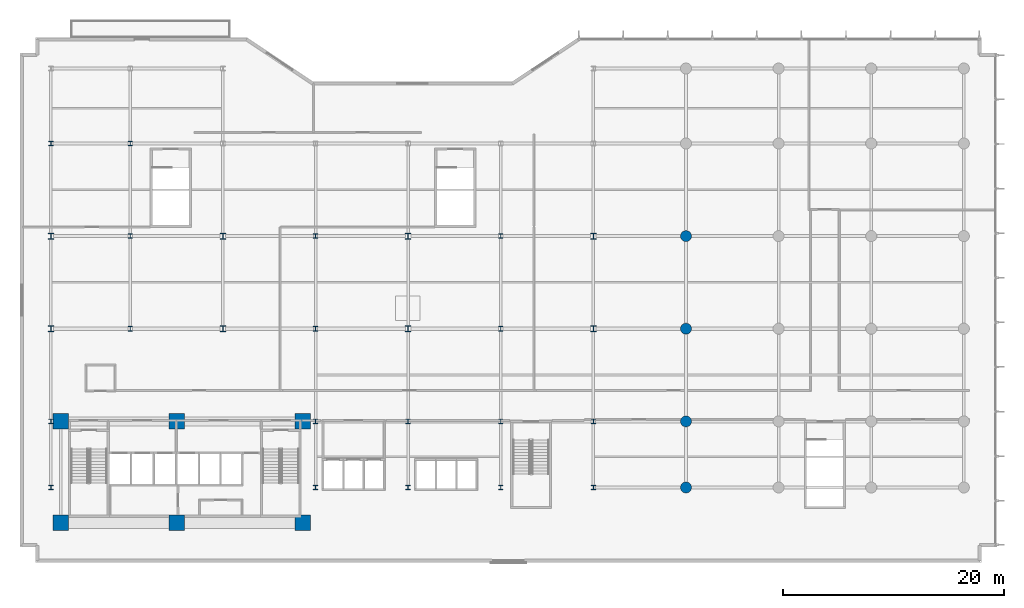
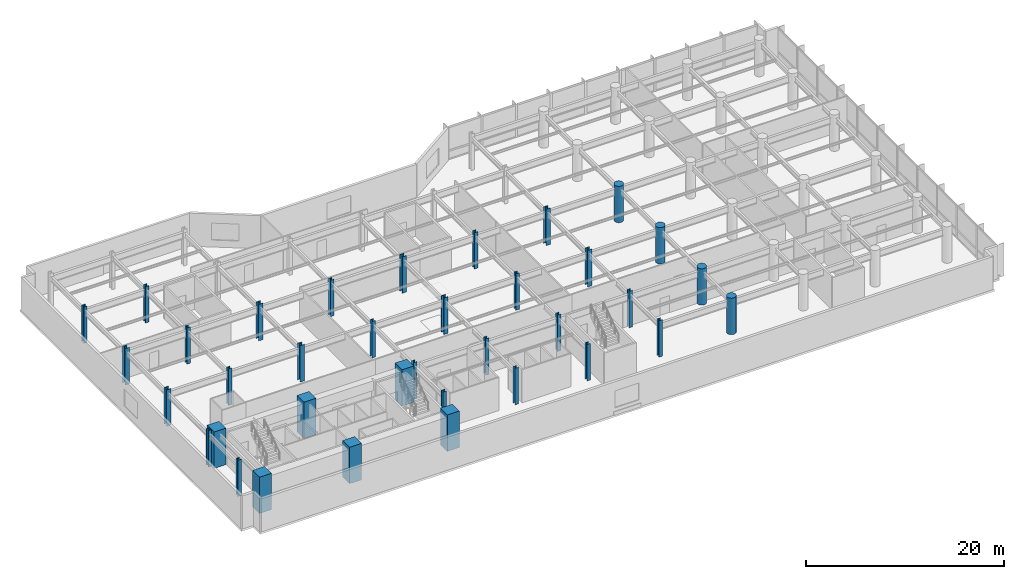
# One storey, part 1 of 23: 36 columns.
"""IFC4 building model written with IfcOpenShell, lengths in metres."""

from ifc_helpers import new_model, si_unit, direction, frame, origin, origin_2d, place, context, subcontext, project, spatial, rectangle, circle, i_section, extrude, material, material_profile, profile_set, type_object, element, save


model = new_model("IFC4")

# Units and contexts
model_context = context("Model", 3, precision=1e-05, world=origin(), true_north=direction((0.0, 1.0)))
body_context = subcontext(model_context, "Body", "Model", "MODEL_VIEW")
ifc_project = project(units=[si_unit("LENGTHUNIT", "METRE"), si_unit("AREAUNIT", "SQUARE_METRE"), si_unit("VOLUMEUNIT", "CUBIC_METRE"), si_unit("PLANEANGLEUNIT", "RADIAN"), si_unit("MASSUNIT", "GRAM", prefix="KILO")], contexts=[model_context])

# Site, building, storey
site_placement = place(None, origin())
site = spatial("IfcSite", under=ifc_project, at=site_placement, CompositionType="ELEMENT")
building_placement = place(site_placement, origin())
building = spatial("IfcBuilding", under=site, at=building_placement, Name="Varnakote Quay Hospital", CompositionType="ELEMENT")
storey_placement = place(building_placement, frame((0.0, 0.0, 18.0)))
storey = spatial("IfcBuildingStorey", under=building, at=storey_placement, Name="L04", CompositionType="ELEMENT", Elevation=18.0)

# Columns
ifc_material_1 = material(Name="Concrete N80 (f'c 80 MPa)", Category="concrete")
ifc_material_profile_1 = material_profile(ifc_material_1, rectangle(XDim=1.39990234375, YDim=1.39990234375, at=origin_2d()), Name="RC-COL-1400x1400")
ifc_profile_set_1 = profile_set([ifc_material_profile_1], Name="Concrete N80 (f'c 80 MPa)")
column_type_1 = type_object("IfcColumnType", Name="COL-RC-1400", PredefinedType="COLUMN", material=ifc_profile_set_1)
for number, where, z_axis, x_axis, name in (
    (1, (2.10009765625, 2.800048828125, 0.0), (0.0, 0.0, 1.0), (1.0, 0.0, 0.0), "L04 Structural Column C-2-3"),
    (2, (12.6201171875, 2.800048828125, 0.0), (0.0, 0.0, 1.0), (1.0, 0.0, 0.0), "L04 Structural Column C-13-3"),
    (3, (24.050048828125, 2.800048828125, 0.0), (0.0, 0.0, 1.0), (1.0, 0.0, 0.0), "L04 Structural Column C-24-3"),
    (4, (2.10009765625, 12.0, 0.0), (0.0, 0.0, 1.0), (1.0, 0.0, 0.0), "L04 Structural Column C-2-12"),
    (5, (12.6201171875, 12.0, 0.0), (0.0, 0.0, 1.0), (1.0, 0.0, 0.0), "L04 Structural Column C-13-12"),
    (6, (24.050048828125, 12.0, 0.0), (0.0, 0.0, 1.0), (1.0, 0.0, 0.0), "L04 Structural Column C-24-12"),
):
    element("IfcColumn", number, at=place(storey_placement, frame(where, z_axis=z_axis, x_axis=x_axis)), inside=storey, type_object=column_type_1, Name=name, PredefinedType="COLUMN", context=body_context, shape_type="SweptSolid", body=[
        extrude(rectangle(XDim=1.39990234375, YDim=1.39990234375, at=origin_2d()), origin(), (0.0, 0.0, 1.0), 4.5),
    ])
ifc_material_2 = material(Name="Concrete N65 (f'c 65 MPa)", Category="concrete")
ifc_material_profile_2 = material_profile(ifc_material_2, circle(Radius=0.5, at=origin_2d()), Name="RC-COL-D1000")
ifc_profile_set_2 = profile_set([ifc_material_profile_2], Name="Concrete N65 (f'c 65 MPa)")
column_type_2 = type_object("IfcColumnType", Name="COL-RC-D1000", PredefinedType="COLUMN", material=ifc_profile_set_2)
for number, where, z_axis, x_axis, name in (
    (7, (58.800048828125, 6.0, 0.0), (0.0, 0.0, 1.0), (1.0, 0.0, 0.0), "L04 Structural Column C-59-6"),
    (8, (58.800048828125, 12.0, 0.0), (0.0, 0.0, 1.0), (1.0, 0.0, 0.0), "L04 Structural Column C-59-12"),
    (9, (58.800048828125, 20.39990234375, 0.0), (0.0, 0.0, 1.0), (1.0, 0.0, 0.0), "L04 Structural Column C-59-20"),
    (10, (58.800048828125, 28.800048828125, 0.0), (0.0, 0.0, 1.0), (1.0, 0.0, 0.0), "L04 Structural Column C-59-29"),
):
    element("IfcColumn", number, at=place(storey_placement, frame(where, z_axis=z_axis, x_axis=x_axis)), inside=storey, type_object=column_type_2, Name=name, PredefinedType="COLUMN", context=body_context, shape_type="SweptSolid", body=[
        extrude(circle(Radius=0.5, at=origin_2d()), origin(), (0.0, 0.0, 1.0), 4.5),
    ])
ifc_material_3 = material(Name="Structural steel AS/NZS 3678 Grade 350 (fy 340 MPa)", Category="steel")
ifc_material_profile_3 = material_profile(ifc_material_3, i_section(OverallWidth=0.39990234375, OverallDepth=0.419921875, WebThickness=0.02490234375, FlangeThickness=0.0400390625, at=origin_2d()), Name="400WC328")
ifc_profile_set_3 = profile_set([ifc_material_profile_3], Name="Structural steel AS/NZS 3678 Grade 350 (fy 340 MPa)")
column_type_3 = type_object("IfcColumnType", Name="COL-STL-400WC328", PredefinedType="COLUMN", material=ifc_profile_set_3)
for number, where, z_axis, x_axis, name in (
    (11, (1.199951171875, 6.0, 0.0), (0.0, 0.0, 1.0), (1.0, 0.0, 0.0), "L04 Structural Column C-1-6"),
    (12, (25.199951171875, 6.0, 0.0), (0.0, 0.0, 1.0), (1.0, 0.0, 0.0), "L04 Structural Column C-25-6"),
    (13, (33.60009765625, 6.0, 0.0), (0.0, 0.0, 1.0), (1.0, 0.0, 0.0), "L04 Structural Column C-34-6"),
    (14, (42.0, 6.0, 0.0), (0.0, 0.0, 1.0), (1.0, 0.0, 0.0), "L04 Structural Column C-42-6"),
    (15, (50.39990234375, 6.0, 0.0), (0.0, 0.0, 1.0), (1.0, 0.0, 0.0), "L04 Structural Column C-50-6"),
    (16, (1.199951171875, 12.0, 0.0), (0.0, 0.0, 1.0), (1.0, 0.0, 0.0), "L04 Structural Column C-1-12"),
    (17, (25.199951171875, 12.0, 0.0), (0.0, 0.0, 1.0), (1.0, 0.0, 0.0), "L04 Structural Column C-25-12"),
    (18, (33.60009765625, 12.0, 0.0), (0.0, 0.0, 1.0), (1.0, 0.0, 0.0), "L04 Structural Column C-34-12"),
    (19, (42.0, 12.0, 0.0), (0.0, 0.0, 1.0), (1.0, 0.0, 0.0), "L04 Structural Column C-42-12"),
    (20, (50.39990234375, 12.0, 0.0), (0.0, 0.0, 1.0), (1.0, 0.0, 0.0), "L04 Structural Column C-50-12"),
    (21, (8.39990234375, 20.39990234375, 0.0), (0.0, 0.0, 1.0), (1.0, 0.0, 0.0), "L04 Structural Column C-8-20"),
    (22, (25.199951171875, 20.39990234375, 0.0), (0.0, 0.0, 1.0), (1.0, 0.0, 0.0), "L04 Structural Column C-25-20"),
    (23, (42.0, 20.39990234375, 0.0), (0.0, 0.0, 1.0), (1.0, 0.0, 0.0), "L04 Structural Column C-42-20"),
    (24, (8.39990234375, 28.800048828125, 0.0), (0.0, 0.0, 1.0), (1.0, 0.0, 0.0), "L04 Structural Column C-8-29"),
    (25, (25.199951171875, 28.800048828125, 0.0), (0.0, 0.0, 1.0), (1.0, 0.0, 0.0), "L04 Structural Column C-25-29"),
    (26, (42.0, 28.800048828125, 0.0), (0.0, 0.0, 1.0), (1.0, 0.0, 0.0), "L04 Structural Column C-42-29"),
    (27, (1.199951171875, 37.199951171875, 0.0), (0.0, 0.0, 1.0), (1.0, 0.0, 0.0), "L04 Structural Column C-1-37"),
    (28, (8.39990234375, 37.199951171875, 0.0), (0.0, 0.0, 1.0), (1.0, 0.0, 0.0), "L04 Structural Column C-8-37"),
):
    element("IfcColumn", number, at=place(storey_placement, frame(where, z_axis=z_axis, x_axis=x_axis)), inside=storey, type_object=column_type_3, Name=name, PredefinedType="COLUMN", context=body_context, shape_type="SweptSolid", body=[
        extrude(i_section(OverallWidth=0.39990234375, OverallDepth=0.419921875, WebThickness=0.02490234375, FlangeThickness=0.0400390625, at=origin_2d()), origin(), (0.0, 0.0, 1.0), 4.5),
    ])
ifc_material_4 = material(Name="Structural steel AS/NZS 3678 Grade 350 (fy 340 MPa)", Category="steel")
ifc_material_profile_4 = material_profile(ifc_material_4, i_section(OverallWidth=0.5, OverallDepth=0.530029296875, WebThickness=0.028076171875, FlangeThickness=0.044921875, at=origin_2d()), Name="500WC440")
ifc_profile_set_4 = profile_set([ifc_material_profile_4], Name="Structural steel AS/NZS 3678 Grade 350 (fy 340 MPa)")
column_type_4 = type_object("IfcColumnType", Name="COL-STL-500WC440", PredefinedType="COLUMN", material=ifc_profile_set_4)
for number, where, z_axis, x_axis, name in (
    (29, (1.199951171875, 20.39990234375, 0.0), (0.0, 0.0, 1.0), (1.0, 0.0, 0.0), "L04 Structural Column C-1-20"),
    (30, (16.800048828125, 20.39990234375, 0.0), (0.0, 0.0, 1.0), (1.0, 0.0, 0.0), "L04 Structural Column C-17-20"),
    (31, (33.60009765625, 20.39990234375, 0.0), (0.0, 0.0, 1.0), (1.0, 0.0, 0.0), "L04 Structural Column C-34-20"),
    (32, (50.39990234375, 20.39990234375, 0.0), (0.0, 0.0, 1.0), (1.0, 0.0, 0.0), "L04 Structural Column C-50-20"),
    (33, (1.199951171875, 28.800048828125, 0.0), (0.0, 0.0, 1.0), (1.0, 0.0, 0.0), "L04 Structural Column C-1-29"),
    (34, (16.800048828125, 28.800048828125, 0.0), (0.0, 0.0, 1.0), (1.0, 0.0, 0.0), "L04 Structural Column C-17-29"),
    (35, (33.60009765625, 28.800048828125, 0.0), (0.0, 0.0, 1.0), (1.0, 0.0, 0.0), "L04 Structural Column C-34-29"),
    (36, (50.39990234375, 28.800048828125, 0.0), (0.0, 0.0, 1.0), (1.0, 0.0, 0.0), "L04 Structural Column C-50-29"),
):
    element("IfcColumn", number, at=place(storey_placement, frame(where, z_axis=z_axis, x_axis=x_axis)), inside=storey, type_object=column_type_4, Name=name, PredefinedType="COLUMN", context=body_context, shape_type="SweptSolid", body=[
        extrude(i_section(OverallWidth=0.5, OverallDepth=0.530029296875, WebThickness=0.028076171875, FlangeThickness=0.044921875, at=origin_2d()), origin(), (0.0, 0.0, 1.0), 4.5),
    ])

save(model, "model.ifc")
